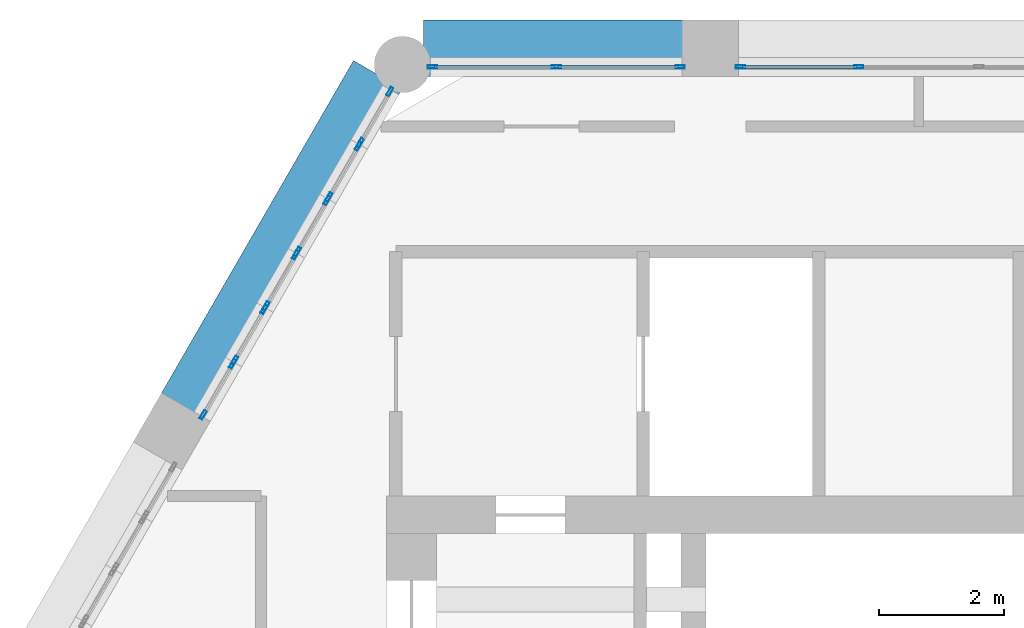
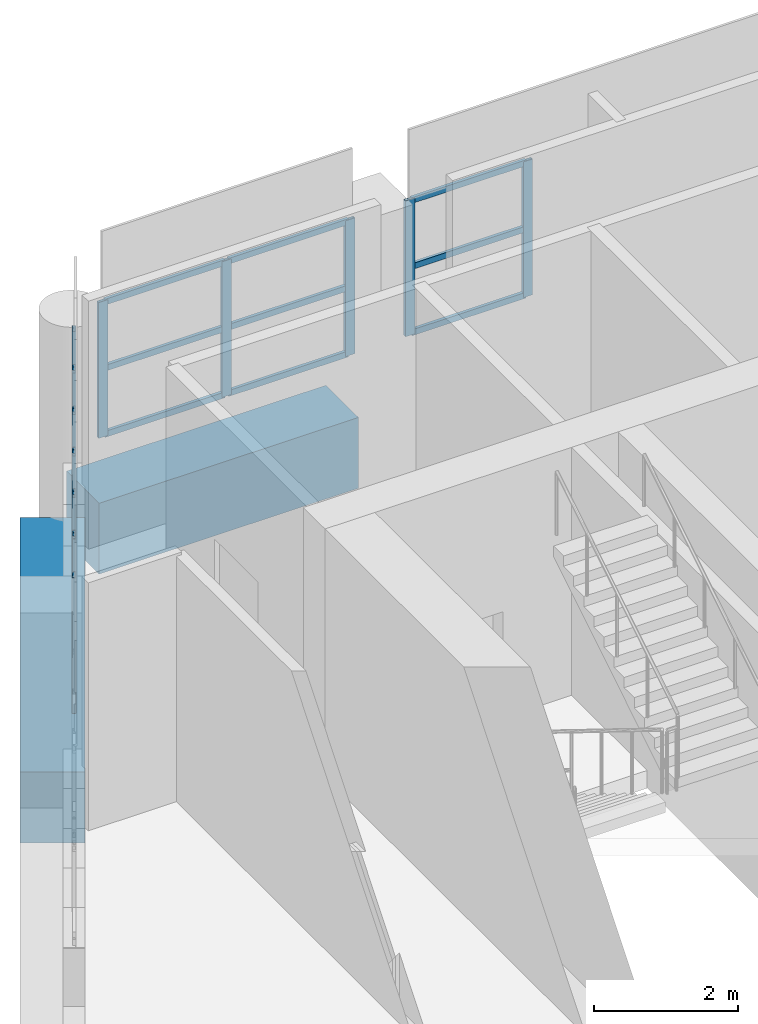
# One storey, part 7 of 20: 26 members, 2 beams, 8 elements without a shape of their own.
"""IFC4 building model written with IfcOpenShell, lengths in metres."""

from ifc_helpers import new_model, si_unit, direction, frame, origin, origin_2d, place, context, subcontext, project, spatial, rectangle, hollow_rectangle, extrude, material, material_profile, profile_set, type_object, element, aggregate, save


model = new_model("IFC4")

# Units and contexts
model_context = context("Model", 3, precision=1e-05, world=origin(), true_north=direction((0.0, 1.0)))
body_context = subcontext(model_context, "Body", "Model", "MODEL_VIEW")
ifc_project = project(units=[si_unit("LENGTHUNIT", "METRE"), si_unit("AREAUNIT", "SQUARE_METRE"), si_unit("VOLUMEUNIT", "CUBIC_METRE"), si_unit("PLANEANGLEUNIT", "RADIAN"), si_unit("MASSUNIT", "GRAM", prefix="KILO")], contexts=[model_context])

# Site, building, storey
site_placement = place(None, origin())
site = spatial("IfcSite", under=ifc_project, at=site_placement, CompositionType="ELEMENT")
building_placement = place(site_placement, origin())
building = spatial("IfcBuilding", under=site, at=building_placement, Name="Ostrander Bayou Hotel Tower", CompositionType="ELEMENT")
storey_placement = place(building_placement, frame((0.0, 0.0, 284.0)))
storey = spatial("IfcBuildingStorey", under=building, at=storey_placement, Name="L70", CompositionType="ELEMENT", Elevation=284.0)

# Curtain wall, members
ifc_material_1 = material(Name="Aluminium and clear glass", Category="aluminium")
curtain_wall_type = type_object("IfcCurtainWallType", Name="CW-CROWN glazed wall", PredefinedType="NOTDEFINED", material=ifc_material_1)
curtain_wall_1_placement = place(storey_placement, origin())
curtain_wall_1 = element("IfcCurtainWall", 1, at=curtain_wall_1_placement, inside=storey, type_object=curtain_wall_type, Name="CW-CROWN L70:N-2", PredefinedType="NOTDEFINED")
ifc_material_2 = material(Name="Aluminium", Category="aluminium")
ifc_material_profile_1 = material_profile(ifc_material_2, hollow_rectangle(XDim=0.050048828125, YDim=0.14990234375, WallThickness=0.00390625, at=origin_2d()))
ifc_profile_set_1 = profile_set([ifc_material_profile_1], Name="Aluminium")
member_type_1 = type_object("IfcMemberType", Name="CW-CR mullion 50 x 150 mm", PredefinedType="MULLION", material=ifc_profile_set_1)
member_1_placement = place(storey_placement, frame((-0.959716796875, 16.550048828125, 1.0), z_axis=(0.0, 0.0, 1.0), x_axis=(0.0, -1.0, 0.0)))
member_1 = element("IfcMember", 2, at=member_1_placement, type_object=member_type_1, Name="CW-CROWN mullion 3", PredefinedType="MULLION", context=body_context, shape_type="SweptSolid", body=[
    extrude(hollow_rectangle(XDim=0.050048828125, YDim=0.14990234375, WallThickness=0.00390625, at=origin_2d()), origin(), (0.0, 0.0, 1.0), 2.300048828125),
])
member_2_placement = place(storey_placement, frame((-2.849365234375, 16.550048828125, 1.0), z_axis=(0.0, 0.0, 1.0), x_axis=(0.0, -1.0, 0.0)))
member_2 = element("IfcMember", 3, at=member_2_placement, type_object=member_type_1, Name="CW-CROWN mullion 4", PredefinedType="MULLION", context=body_context, shape_type="SweptSolid", body=[
    extrude(hollow_rectangle(XDim=0.050048828125, YDim=0.14990234375, WallThickness=0.00390625, at=origin_2d()), origin(), (0.0, 0.0, 1.0), 2.300048828125),
])

curtain_wall_2_placement = place(storey_placement, origin())
curtain_wall_2 = element("IfcCurtainWall", 4, at=curtain_wall_2_placement, inside=storey, type_object=curtain_wall_type, Name="CW-CROWN L70:N-3", PredefinedType="NOTDEFINED")
member_3_placement = place(storey_placement, frame((-3.809326171875, 16.550048828125, 1.0), z_axis=(0.0, 0.0, 1.0), x_axis=(0.0, -1.0, 0.0)))
member_3 = element("IfcMember", 5, at=member_3_placement, type_object=member_type_1, Name="CW-CROWN mullion 1", PredefinedType="MULLION", context=body_context, shape_type="SweptSolid", body=[
    extrude(hollow_rectangle(XDim=0.050048828125, YDim=0.14990234375, WallThickness=0.00390625, at=origin_2d()), origin(), (0.0, 0.0, 1.0), 2.300048828125),
])
member_4_placement = place(storey_placement, frame((-5.78759765625, 16.550048828125, 1.0), z_axis=(0.0, 0.0, 1.0), x_axis=(0.0, -1.0, 0.0)))
member_4 = element("IfcMember", 6, at=member_4_placement, type_object=member_type_1, Name="CW-CROWN mullion 2", PredefinedType="MULLION", context=body_context, shape_type="SweptSolid", body=[
    extrude(hollow_rectangle(XDim=0.050048828125, YDim=0.14990234375, WallThickness=0.00390625, at=origin_2d()), origin(), (0.0, 0.0, 1.0), 2.300048828125),
])
member_5_placement = place(storey_placement, frame((-7.765869140625, 16.550048828125, 1.0), z_axis=(0.0, 0.0, 1.0), x_axis=(0.0, -1.0, 0.0)))
member_5 = element("IfcMember", 7, at=member_5_placement, type_object=member_type_1, Name="CW-CROWN mullion 3", PredefinedType="MULLION", context=body_context, shape_type="SweptSolid", body=[
    extrude(hollow_rectangle(XDim=0.050048828125, YDim=0.14990234375, WallThickness=0.00390625, at=origin_2d()), origin(), (0.0, 0.0, 1.0), 2.300048828125),
])

curtain_wall_3_placement = place(storey_placement, origin())
curtain_wall_3 = element("IfcCurtainWall", 8, at=curtain_wall_3_placement, inside=storey, type_object=curtain_wall_type, Name="CW-CROWN L70:NW-1-1", PredefinedType="NOTDEFINED")
member_6_placement = place(storey_placement, frame((-8.447021484375, 16.156494140625, 1.0), z_axis=(0.0, 0.0, 1.0), x_axis=(0.866026229865, -0.499998569184, 0.0)))
member_6 = element("IfcMember", 9, at=member_6_placement, type_object=member_type_1, Name="CW-CROWN mullion 1", PredefinedType="MULLION", context=body_context, shape_type="SweptSolid", body=[
    extrude(hollow_rectangle(XDim=0.050048828125, YDim=0.14990234375, WallThickness=0.00390625, at=origin_2d()), origin(), (0.0, 0.0, 1.0), 2.300048828125),
])
member_7_placement = place(storey_placement, frame((-8.918701171875, 15.339599609375, 1.0), z_axis=(0.0, 0.0, 1.0), x_axis=(0.866026229865, -0.499998569184, 0.0)))
member_7 = element("IfcMember", 10, at=member_7_placement, type_object=member_type_1, Name="CW-CROWN mullion 2", PredefinedType="MULLION", context=body_context, shape_type="SweptSolid", body=[
    extrude(hollow_rectangle(XDim=0.050048828125, YDim=0.14990234375, WallThickness=0.00390625, at=origin_2d()), origin(), (0.0, 0.0, 1.0), 2.300048828125),
])
aggregate(curtain_wall_3, [member_6, member_7])

curtain_wall_4_placement = place(storey_placement, origin())
curtain_wall_4 = element("IfcCurtainWall", 11, at=curtain_wall_4_placement, inside=storey, type_object=curtain_wall_type, Name="CW-CROWN L70:NW-1-2", PredefinedType="NOTDEFINED")
member_8_placement = place(storey_placement, frame((-8.948486328125, 15.28759765625, 1.0), z_axis=(0.0, 0.0, 1.0), x_axis=(0.866001306597, -0.50004173523, 0.0)))
member_8 = element("IfcMember", 12, at=member_8_placement, type_object=member_type_1, Name="CW-CROWN mullion 1", PredefinedType="MULLION", context=body_context, shape_type="SweptSolid", body=[
    extrude(hollow_rectangle(XDim=0.050048828125, YDim=0.14990234375, WallThickness=0.00390625, at=origin_2d()), origin(), (0.0, 0.0, 1.0), 2.300048828125),
])
member_9_placement = place(storey_placement, frame((-9.420166015625, 14.470947265625, 1.0), z_axis=(0.0, 0.0, 1.0), x_axis=(0.866001306597, -0.50004173523, 0.0)))
member_9 = element("IfcMember", 13, at=member_9_placement, type_object=member_type_1, Name="CW-CROWN mullion 2", PredefinedType="MULLION", context=body_context, shape_type="SweptSolid", body=[
    extrude(hollow_rectangle(XDim=0.050048828125, YDim=0.14990234375, WallThickness=0.00390625, at=origin_2d()), origin(), (0.0, 0.0, 1.0), 2.300048828125),
])
aggregate(curtain_wall_4, [member_8, member_9])

curtain_wall_5_placement = place(storey_placement, origin())
curtain_wall_5 = element("IfcCurtainWall", 14, at=curtain_wall_5_placement, inside=storey, type_object=curtain_wall_type, Name="CW-CROWN L70:NW-1-3", PredefinedType="NOTDEFINED")
member_10_placement = place(storey_placement, frame((-9.4501953125, 14.4189453125, 1.0), z_axis=(0.0, 0.0, 1.0), x_axis=(0.866026229865, -0.499998569184, 0.0)))
member_10 = element("IfcMember", 15, at=member_10_placement, type_object=member_type_1, Name="CW-CROWN mullion 1", PredefinedType="MULLION", context=body_context, shape_type="SweptSolid", body=[
    extrude(hollow_rectangle(XDim=0.050048828125, YDim=0.14990234375, WallThickness=0.00390625, at=origin_2d()), origin(), (0.0, 0.0, 1.0), 2.300048828125),
])
member_11_placement = place(storey_placement, frame((-9.921875, 13.60205078125, 1.0), z_axis=(0.0, 0.0, 1.0), x_axis=(0.866026229865, -0.499998569184, 0.0)))
member_11 = element("IfcMember", 16, at=member_11_placement, type_object=member_type_1, Name="CW-CROWN mullion 2", PredefinedType="MULLION", context=body_context, shape_type="SweptSolid", body=[
    extrude(hollow_rectangle(XDim=0.050048828125, YDim=0.14990234375, WallThickness=0.00390625, at=origin_2d()), origin(), (0.0, 0.0, 1.0), 2.300048828125),
])
aggregate(curtain_wall_5, [member_10, member_11])

curtain_wall_6_placement = place(storey_placement, origin())
curtain_wall_6 = element("IfcCurtainWall", 17, at=curtain_wall_6_placement, inside=storey, type_object=curtain_wall_type, Name="CW-CROWN L70:NW-1-4", PredefinedType="NOTDEFINED")
member_12_placement = place(storey_placement, frame((-9.951904296875, 13.550048828125, 1.0), z_axis=(0.0, 0.0, 1.0), x_axis=(0.866069391736, -0.499923802893, 0.0)))
member_12 = element("IfcMember", 18, at=member_12_placement, type_object=member_type_1, Name="CW-CROWN mullion 1", PredefinedType="MULLION", context=body_context, shape_type="SweptSolid", body=[
    extrude(hollow_rectangle(XDim=0.050048828125, YDim=0.14990234375, WallThickness=0.00390625, at=origin_2d()), origin(), (0.0, 0.0, 1.0), 2.300048828125),
])
member_13_placement = place(storey_placement, frame((-10.42333984375, 12.7333984375, 1.0), z_axis=(0.0, 0.0, 1.0), x_axis=(0.866069391736, -0.499923802893, 0.0)))
member_13 = element("IfcMember", 19, at=member_13_placement, type_object=member_type_1, Name="CW-CROWN mullion 2", PredefinedType="MULLION", context=body_context, shape_type="SweptSolid", body=[
    extrude(hollow_rectangle(XDim=0.050048828125, YDim=0.14990234375, WallThickness=0.00390625, at=origin_2d()), origin(), (0.0, 0.0, 1.0), 2.300048828125),
])
aggregate(curtain_wall_6, [member_12, member_13])

curtain_wall_7_placement = place(storey_placement, origin())
curtain_wall_7 = element("IfcCurtainWall", 20, at=curtain_wall_7_placement, inside=storey, type_object=curtain_wall_type, Name="CW-CROWN L70:NW-1-5", PredefinedType="NOTDEFINED")
member_14_placement = place(storey_placement, frame((-10.453369140625, 12.681396484375, 1.0), z_axis=(0.0, 0.0, 1.0), x_axis=(0.866001306597, -0.50004173523, 0.0)))
member_14 = element("IfcMember", 21, at=member_14_placement, type_object=member_type_1, Name="CW-CROWN mullion 1", PredefinedType="MULLION", context=body_context, shape_type="SweptSolid", body=[
    extrude(hollow_rectangle(XDim=0.050048828125, YDim=0.14990234375, WallThickness=0.00390625, at=origin_2d()), origin(), (0.0, 0.0, 1.0), 2.300048828125),
])
member_15_placement = place(storey_placement, frame((-10.9248046875, 11.864501953125, 1.0), z_axis=(0.0, 0.0, 1.0), x_axis=(0.866001306597, -0.50004173523, 0.0)))
member_15 = element("IfcMember", 22, at=member_15_placement, type_object=member_type_1, Name="CW-CROWN mullion 2", PredefinedType="MULLION", context=body_context, shape_type="SweptSolid", body=[
    extrude(hollow_rectangle(XDim=0.050048828125, YDim=0.14990234375, WallThickness=0.00390625, at=origin_2d()), origin(), (0.0, 0.0, 1.0), 2.300048828125),
])
aggregate(curtain_wall_7, [member_14, member_15])

curtain_wall_8_placement = place(storey_placement, origin())
curtain_wall_8 = element("IfcCurtainWall", 23, at=curtain_wall_8_placement, inside=storey, type_object=curtain_wall_type, Name="CW-CROWN L70:NW-1-6", PredefinedType="NOTDEFINED")
member_16_placement = place(storey_placement, frame((-10.954833984375, 11.8125, 1.0), z_axis=(0.0, 0.0, 1.0), x_axis=(0.866026229865, -0.499998569184, 0.0)))
member_16 = element("IfcMember", 24, at=member_16_placement, type_object=member_type_1, Name="CW-CROWN mullion 1", PredefinedType="MULLION", context=body_context, shape_type="SweptSolid", body=[
    extrude(hollow_rectangle(XDim=0.050048828125, YDim=0.14990234375, WallThickness=0.00390625, at=origin_2d()), origin(), (0.0, 0.0, 1.0), 2.300048828125),
])
member_17_placement = place(storey_placement, frame((-11.426513671875, 10.995849609375, 1.0), z_axis=(0.0, 0.0, 1.0), x_axis=(0.866026229865, -0.499998569184, 0.0)))
member_17 = element("IfcMember", 25, at=member_17_placement, type_object=member_type_1, Name="CW-CROWN mullion 2", PredefinedType="MULLION", context=body_context, shape_type="SweptSolid", body=[
    extrude(hollow_rectangle(XDim=0.050048828125, YDim=0.14990234375, WallThickness=0.00390625, at=origin_2d()), origin(), (0.0, 0.0, 1.0), 2.300048828125),
])
aggregate(curtain_wall_8, [member_16, member_17])

# Member
ifc_material_3 = material(Name="Aluminium", Category="aluminium")
ifc_material_profile_2 = material_profile(ifc_material_3, hollow_rectangle(XDim=0.050048828125, YDim=0.10009765625, WallThickness=0.00390625, at=origin_2d()))
ifc_profile_set_2 = profile_set([ifc_material_profile_2], Name="Aluminium")
member_type_2 = type_object("IfcMemberType", Name="CW-CR transom 50 x 100 mm", PredefinedType="USERDEFINED", material=ifc_profile_set_2)
member_18_placement = place(storey_placement, frame((-0.98974609375, 16.550048828125, 1.030029296875), z_axis=(-1.0, 0.0, 0.0), x_axis=(0.0, -1.0, 0.0)))
member_18 = element("IfcMember", 26, at=member_18_placement, type_object=member_type_2, Name="CW-CROWN transom 3.1", ObjectType="TRANSOM", PredefinedType="USERDEFINED", context=body_context, shape_type="SweptSolid", body=[
    extrude(hollow_rectangle(XDim=0.050048828125, YDim=0.10009765625, WallThickness=0.00390625, at=origin_2d()), origin(), (0.0, 0.0, 1.0), 1.82958984375),
])

member_19_placement = place(storey_placement, frame((-0.98974609375, 16.550048828125, 2.14990234375), z_axis=(-1.0, 0.0, 0.0), x_axis=(0.0, -1.0, 0.0)))
member_19 = element("IfcMember", 27, at=member_19_placement, type_object=member_type_2, Name="CW-CROWN transom 3.2", ObjectType="TRANSOM", PredefinedType="USERDEFINED", context=body_context, shape_type="SweptSolid", body=[
    extrude(hollow_rectangle(XDim=0.050048828125, YDim=0.10009765625, WallThickness=0.00390625, at=origin_2d()), origin(), (0.0, 0.0, 1.0), 1.82958984375),
])

member_20_placement = place(storey_placement, frame((-0.98974609375, 16.550048828125, 3.27001953125), z_axis=(-1.0, 0.0, 0.0), x_axis=(0.0, -1.0, 0.0)))
member_20 = element("IfcMember", 28, at=member_20_placement, type_object=member_type_2, Name="CW-CROWN transom 3.3", ObjectType="TRANSOM", PredefinedType="USERDEFINED", context=body_context, shape_type="SweptSolid", body=[
    extrude(hollow_rectangle(XDim=0.050048828125, YDim=0.10009765625, WallThickness=0.00390625, at=origin_2d()), origin(), (0.0, 0.0, 1.0), 1.82958984375),
])

aggregate(curtain_wall_1, [member_1, member_2, member_18, member_19, member_20])

member_21_placement = place(storey_placement, frame((-3.83935546875, 16.550048828125, 1.030029296875), z_axis=(-1.0, 0.0, 0.0), x_axis=(0.0, -1.0, 0.0)))
member_21 = element("IfcMember", 29, at=member_21_placement, type_object=member_type_2, Name="CW-CROWN transom 1.1", ObjectType="TRANSOM", PredefinedType="USERDEFINED", context=body_context, shape_type="SweptSolid", body=[
    extrude(hollow_rectangle(XDim=0.050048828125, YDim=0.10009765625, WallThickness=0.00390625, at=origin_2d()), origin(), (0.0, 0.0, 1.0), 1.918212890625),
])

member_22_placement = place(storey_placement, frame((-3.83935546875, 16.550048828125, 2.14990234375), z_axis=(-1.0, 0.0, 0.0), x_axis=(0.0, -1.0, 0.0)))
member_22 = element("IfcMember", 30, at=member_22_placement, type_object=member_type_2, Name="CW-CROWN transom 1.2", ObjectType="TRANSOM", PredefinedType="USERDEFINED", context=body_context, shape_type="SweptSolid", body=[
    extrude(hollow_rectangle(XDim=0.050048828125, YDim=0.10009765625, WallThickness=0.00390625, at=origin_2d()), origin(), (0.0, 0.0, 1.0), 1.918212890625),
])

member_23_placement = place(storey_placement, frame((-3.83935546875, 16.550048828125, 3.27001953125), z_axis=(-1.0, 0.0, 0.0), x_axis=(0.0, -1.0, 0.0)))
member_23 = element("IfcMember", 31, at=member_23_placement, type_object=member_type_2, Name="CW-CROWN transom 1.3", ObjectType="TRANSOM", PredefinedType="USERDEFINED", context=body_context, shape_type="SweptSolid", body=[
    extrude(hollow_rectangle(XDim=0.050048828125, YDim=0.10009765625, WallThickness=0.00390625, at=origin_2d()), origin(), (0.0, 0.0, 1.0), 1.918212890625),
])

member_24_placement = place(storey_placement, frame((-5.817626953125, 16.550048828125, 1.030029296875), z_axis=(-1.0, 0.0, 0.0), x_axis=(0.0, -1.0, 0.0)))
member_24 = element("IfcMember", 32, at=member_24_placement, type_object=member_type_2, Name="CW-CROWN transom 2.1", ObjectType="TRANSOM", PredefinedType="USERDEFINED", context=body_context, shape_type="SweptSolid", body=[
    extrude(hollow_rectangle(XDim=0.050048828125, YDim=0.10009765625, WallThickness=0.00390625, at=origin_2d()), origin(), (0.0, 0.0, 1.0), 1.918212890625),
])

member_25_placement = place(storey_placement, frame((-5.817626953125, 16.550048828125, 2.14990234375), z_axis=(-1.0, 0.0, 0.0), x_axis=(0.0, -1.0, 0.0)))
member_25 = element("IfcMember", 33, at=member_25_placement, type_object=member_type_2, Name="CW-CROWN transom 2.2", ObjectType="TRANSOM", PredefinedType="USERDEFINED", context=body_context, shape_type="SweptSolid", body=[
    extrude(hollow_rectangle(XDim=0.050048828125, YDim=0.10009765625, WallThickness=0.00390625, at=origin_2d()), origin(), (0.0, 0.0, 1.0), 1.918212890625),
])

member_26_placement = place(storey_placement, frame((-5.817626953125, 16.550048828125, 3.27001953125), z_axis=(-1.0, 0.0, 0.0), x_axis=(0.0, -1.0, 0.0)))
member_26 = element("IfcMember", 34, at=member_26_placement, type_object=member_type_2, Name="CW-CROWN transom 2.3", ObjectType="TRANSOM", PredefinedType="USERDEFINED", context=body_context, shape_type="SweptSolid", body=[
    extrude(hollow_rectangle(XDim=0.050048828125, YDim=0.10009765625, WallThickness=0.00390625, at=origin_2d()), origin(), (0.0, 0.0, 1.0), 1.918212890625),
])

aggregate(curtain_wall_2, [member_3, member_4, member_5, member_21, member_22, member_23, member_24, member_25, member_26])

# Beams
ifc_material_4 = material(Name="Concrete f'c 60 MPa", Category="concrete")
ifc_material_profile_3 = material_profile(ifc_material_4, rectangle(XDim=0.89990234375, YDim=1.199951171875, at=origin_2d()))
ifc_profile_set_3 = profile_set([ifc_material_profile_3], Name="Concrete f'c 60 MPa")
beam_type = type_object("IfcBeamType", Name="SP4 spandrel beam 900 x 1200 mm f'c 60 MPa", PredefinedType="SPANDREL", material=ifc_profile_set_3)
beam_1_placement = place(storey_placement, frame((-3.74951171875, 16.85009765625, -0.60009765625), z_axis=(-1.0, 0.0, 0.0), x_axis=(0.0, -1.0, 0.0)))
element("IfcBeam", 35, at=beam_1_placement, inside=storey, type_object=beam_type, Name="SP4 L70 N-3", PredefinedType="SPANDREL", context=body_context, shape_type="SweptSolid", body=[
    extrude(rectangle(XDim=0.89990234375, YDim=1.199951171875, at=origin_2d()), origin(), (0.0, 0.0, 1.0), 4.15625),
])
beam_2_placement = place(storey_placement, frame((-8.63671875, 16.427978515625, -0.60009765625), z_axis=(-0.499984362083, -0.866034432152, 0.0), x_axis=(0.866034432152, -0.499984362083, 0.0)))
element("IfcBeam", 36, at=beam_2_placement, inside=storey, type_object=beam_type, Name="SP4 L70 NW-1", PredefinedType="SPANDREL", context=body_context, shape_type="SweptSolid", body=[
    extrude(rectangle(XDim=0.89990234375, YDim=1.199951171875, at=origin_2d()), origin(), (0.0, 0.0, 1.0), 6.159423828125),
])

save(model, "model.ifc")
